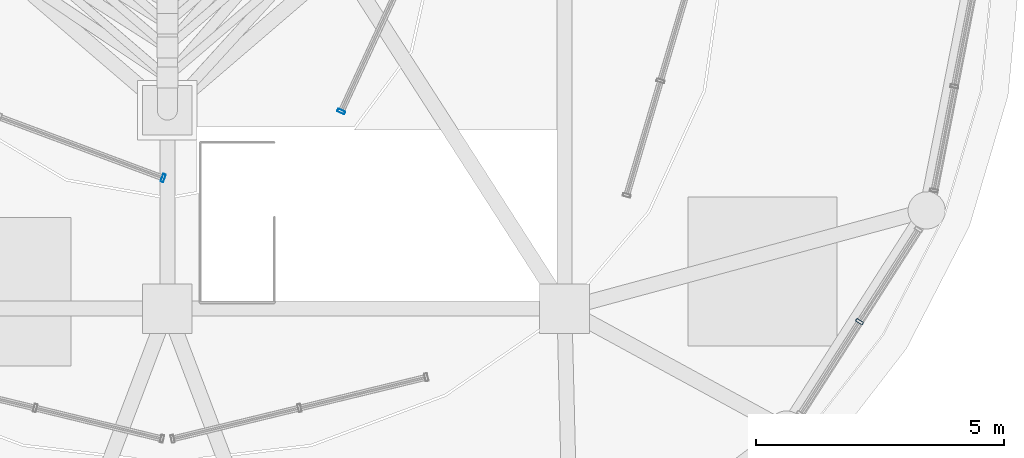
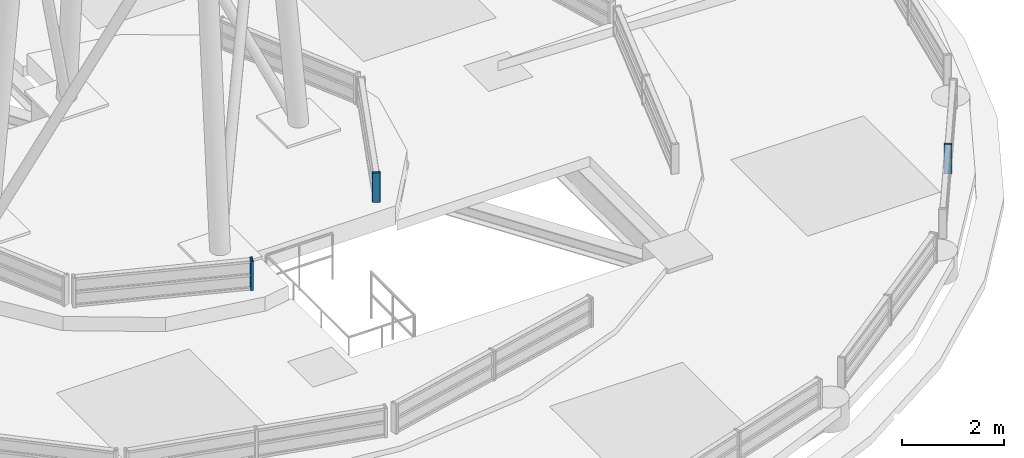
# One storey, part 11 of 21: 3 members, 3 elements without a shape of their own.
"""IFC4 building model written with IfcOpenShell, lengths in metres."""

from ifc_helpers import new_model, si_unit, direction, frame, origin, origin_2d, place, context, subcontext, project, spatial, hollow_rectangle, extrude, material, layer, layer_set, material_profile, profile_set, type_object, element, aggregate, save


model = new_model("IFC4")

# Units and contexts
model_context = context("Model", 3, precision=1e-05, world=origin(), true_north=direction((0.0, 1.0)))
body_context = subcontext(model_context, "Body", "Model", "MODEL_VIEW")
ifc_project = project(units=[si_unit("LENGTHUNIT", "METRE"), si_unit("AREAUNIT", "SQUARE_METRE"), si_unit("VOLUMEUNIT", "CUBIC_METRE"), si_unit("PLANEANGLEUNIT", "RADIAN"), si_unit("MASSUNIT", "GRAM", prefix="KILO")], contexts=[model_context])

# Site, building, storey
site_placement = place(None, origin())
site = spatial("IfcSite", under=ifc_project, at=site_placement, CompositionType="ELEMENT")
building_placement = place(site_placement, origin())
building = spatial("IfcBuilding", under=site, at=building_placement, Name="Kelanora Arch Commons", CompositionType="ELEMENT")
storey_placement = place(building_placement, frame((0.0, 0.0, 311.10009765625)))
storey = spatial("IfcBuildingStorey", under=building, at=storey_placement, Name="RF", CompositionType="ELEMENT", Elevation=311.10009765625)

# Curtain wall, member
ifc_material_1 = material(Name="Terracotta ceramic-fritted low-E glass and aluminium", Category="masonry")
ifc_layer = layer(ifc_material_1, 0.14990234375)
ifc_layer_set = layer_set([ifc_layer], Name="Terracotta ceramic-fritted low-E glass and aluminium")
curtain_wall_type = type_object("IfcCurtainWallType", Name="CW-SYS-06", PredefinedType="NOTDEFINED", material=ifc_layer_set)
curtain_wall_1_placement = place(storey_placement, origin())
curtain_wall_1 = element("IfcCurtainWall", 1, at=curtain_wall_1_placement, inside=storey, type_object=curtain_wall_type, Name="Sloped Glass Crown Lantern T1-17", PredefinedType="NOTDEFINED")
ifc_material_2 = material(Name="Powder-coated aluminium terracotta", Category="masonry")
ifc_material_profile = material_profile(ifc_material_2, hollow_rectangle(XDim=0.159912109375, YDim=0.06005859375, WallThickness=0.0048828125, InnerFilletRadius=0.0048828125, OuterFilletRadius=0.010009765625, at=origin_2d()), Name="CWM160x60")
ifc_profile_set = profile_set([ifc_material_profile], Name="Powder-coated aluminium terracotta")
member_type = type_object("IfcMemberType", Name="CWM-STD", PredefinedType="MULLION", material=ifc_profile_set)
member_1_placement = place(storey_placement, frame((87.9443359375, 50.737060546875, 0.58984375), z_axis=(0.0, 0.0, 1.0), x_axis=(-0.842271400663, 0.539053696421, 0.0)))
member_1 = element("IfcMember", 2, at=member_1_placement, type_object=member_type, Name="CW-06 mullion 2", PredefinedType="MULLION", context=body_context, shape_type="SweptSolid", body=[
    extrude(hollow_rectangle(XDim=0.159912109375, YDim=0.06005859375, WallThickness=0.0048828125, InnerFilletRadius=0.0048828125, OuterFilletRadius=0.010009765625, at=origin_2d()), origin(), (0.0, 0.0, 1.0), 0.699951171875),
])
aggregate(curtain_wall_1, [member_1])

curtain_wall_2_placement = place(storey_placement, origin())
curtain_wall_2 = element("IfcCurtainWall", 3, at=curtain_wall_2_placement, inside=storey, type_object=curtain_wall_type, Name="Sloped Glass Crown Lantern T3-06", PredefinedType="NOTDEFINED")
member_2_placement = place(storey_placement, frame((73.915771484375, 53.63134765625, 1.0), z_axis=(0.0, 0.0, 1.0), x_axis=(0.348609776809, 0.937267957157, 0.0)))
member_2 = element("IfcMember", 4, at=member_2_placement, type_object=member_type, Name="CW-06 mullion 2", PredefinedType="MULLION", context=body_context, shape_type="SweptSolid", body=[
    extrude(hollow_rectangle(XDim=0.159912109375, YDim=0.06005859375, WallThickness=0.0048828125, InnerFilletRadius=0.0048828125, OuterFilletRadius=0.010009765625, at=origin_2d()), origin(), (0.0, 0.0, 1.0), 0.699951171875),
])
aggregate(curtain_wall_2, [member_2])

curtain_wall_3_placement = place(storey_placement, origin())
curtain_wall_3 = element("IfcCurtainWall", 5, at=curtain_wall_3_placement, inside=storey, type_object=curtain_wall_type, Name="Sloped Glass Crown Lantern T3-08", PredefinedType="NOTDEFINED")
member_3_placement = place(storey_placement, frame((77.50244140625, 54.970458984375, 1.0), z_axis=(0.0, 0.0, 1.0), x_axis=(-0.908037267416, 0.418889389916, 0.0)))
member_3 = element("IfcMember", 6, at=member_3_placement, type_object=member_type, Name="CW-06 mullion 1", PredefinedType="MULLION", context=body_context, shape_type="SweptSolid", body=[
    extrude(hollow_rectangle(XDim=0.159912109375, YDim=0.06005859375, WallThickness=0.0048828125, InnerFilletRadius=0.0048828125, OuterFilletRadius=0.010009765625, at=origin_2d()), origin(), (0.0, 0.0, 1.0), 0.699951171875),
])
aggregate(curtain_wall_3, [member_3])

save(model, "model.ifc")
